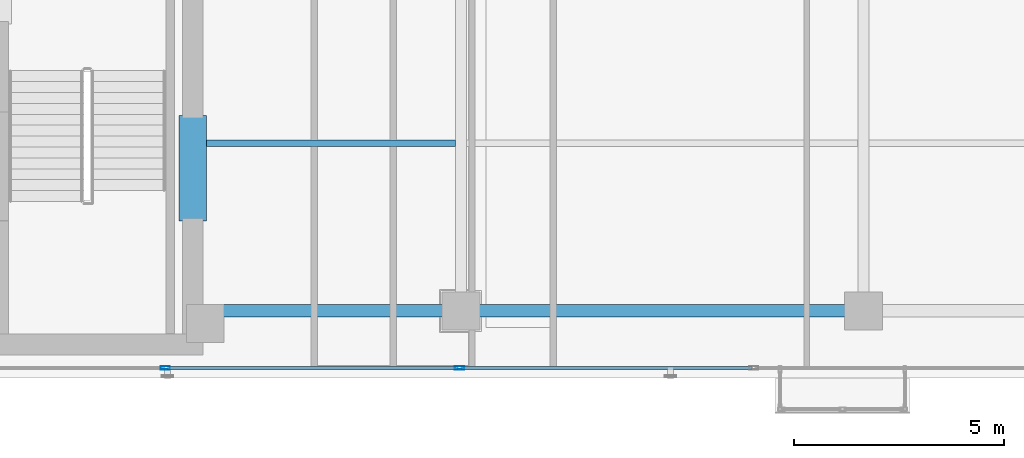
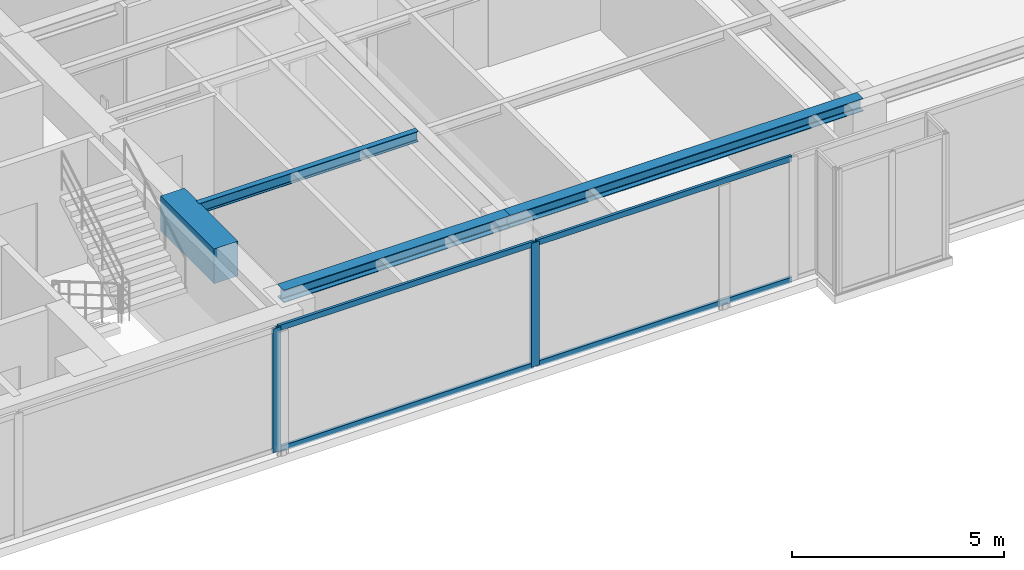
# One storey, part 4 of 23: 6 members, 4 beams, 1 element without a shape of its own.
"""IFC4 building model written with IfcOpenShell, lengths in metres."""

from ifc_helpers import new_model, si_unit, direction, frame, origin, origin_with_axes, origin_2d, place, context, subcontext, project, spatial, rectangle, hollow_rectangle, i_section, extrude, source, transform, mapped, material, layer, layer_set, material_profile, profile_set, type_object, element, aggregate, save


model = new_model("IFC4")

# Units and contexts
model_context = context("Model", 3, precision=1e-05, world=origin(), true_north=direction((0.0, 1.0)))
body_context = subcontext(model_context, "Body", "Model", "MODEL_VIEW")
ifc_project = project(units=[si_unit("LENGTHUNIT", "METRE"), si_unit("AREAUNIT", "SQUARE_METRE"), si_unit("VOLUMEUNIT", "CUBIC_METRE"), si_unit("PLANEANGLEUNIT", "RADIAN"), si_unit("MASSUNIT", "GRAM", prefix="KILO")], contexts=[model_context])

# Site, building, storey
site_placement = place(None, origin())
site = spatial("IfcSite", under=ifc_project, at=site_placement, CompositionType="ELEMENT")
building_placement = place(site_placement, origin())
building = spatial("IfcBuilding", under=site, at=building_placement, Name="Kolvaren Waterfront Exchange", CompositionType="ELEMENT")
storey_placement = place(building_placement, frame((0.0, 0.0, 270.39990234375)))
storey = spatial("IfcBuildingStorey", under=building, at=storey_placement, Name="L69", CompositionType="ELEMENT", Elevation=270.39990234375)

# Beams
ifc_material_1 = material(Name="Steel S355", Category="steel")
ifc_material_profile_1 = material_profile(ifc_material_1, i_section(OverallWidth=0.300048828125, OverallDepth=0.360107421875, WebThickness=0.012451171875, FlangeThickness=0.0224609375, FilletRadius=0.027099609375, at=origin_2d()), Name="HEB360")
ifc_profile_set_1 = profile_set([ifc_material_profile_1], Name="Steel S355")
beam_type_1 = type_object("IfcBeamType", Name="STR-BM-HEB360", PredefinedType="SPANDREL", material=ifc_profile_set_1)
beam_1_placement = place(storey_placement, frame((21.050048828125, 5.199951171875, 3.380126953125), z_axis=(1.0, 0.0, 0.0), x_axis=(0.0, 1.0, 0.0)))
element("IfcBeam", 1, at=beam_1_placement, inside=storey, type_object=beam_type_1, Name="L69 east-arm spandrel S1", PredefinedType="SPANDREL", context=body_context, shape_type="SweptSolid", body=[
    extrude(i_section(OverallWidth=0.300048828125, OverallDepth=0.360107421875, WebThickness=0.012451171875, FlangeThickness=0.0224609375, FilletRadius=0.027099609375, at=origin_2d()), origin(), (0.0, 0.0, 1.0), 6.14990234375),
])
beam_2_placement = place(storey_placement, frame((27.199951171875, 5.199951171875, 3.380126953125), z_axis=(1.0, 0.0, 0.0), x_axis=(0.0, 1.0, 0.0)))
element("IfcBeam", 2, at=beam_2_placement, inside=storey, type_object=beam_type_1, Name="L69 east-arm spandrel S2", PredefinedType="SPANDREL", context=body_context, shape_type="SweptSolid", body=[
    extrude(i_section(OverallWidth=0.300048828125, OverallDepth=0.360107421875, WebThickness=0.012451171875, FlangeThickness=0.0224609375, FilletRadius=0.027099609375, at=origin_2d()), origin(), (0.0, 0.0, 1.0), 9.60009765625),
])
ifc_material_profile_2 = material_profile(ifc_material_1, i_section(OverallWidth=0.14990234375, OverallDepth=0.300048828125, WebThickness=0.007080078125, FlangeThickness=0.0107421875, FilletRadius=0.014892578125, at=origin_2d()), Name="IPE300")
ifc_profile_set_2 = profile_set([ifc_material_profile_2], Name="Steel S355")
beam_type_2 = type_object("IfcBeamType", Name="STR-BM-IPE300", PredefinedType="JOIST", material=ifc_profile_set_2)
beam_3_placement = place(storey_placement, frame((21.10009765625, 9.199951171875, 3.41015625), z_axis=(1.0, 0.0, 0.0), x_axis=(0.0, 1.0, 0.0)))
element("IfcBeam", 3, at=beam_3_placement, inside=storey, type_object=beam_type_2, Name="L69 east-arm composite joist 1B", PredefinedType="JOIST", context=body_context, shape_type="SweptSolid", body=[
    extrude(i_section(OverallWidth=0.14990234375, OverallDepth=0.300048828125, WebThickness=0.007080078125, FlangeThickness=0.0107421875, FilletRadius=0.014892578125, at=origin_2d()), origin(), (0.0, 0.0, 1.0), 5.96435546875),
])
ifc_material_2 = material(Name="Concrete C60/75", Category="concrete")
ifc_material_profile_3 = material_profile(ifc_material_2, rectangle(XDim=0.64990234375, YDim=1.0, at=origin_2d()), Name="RC-CB-1000x650")
ifc_profile_set_3 = profile_set([ifc_material_profile_3], Name="Concrete C60/75")
beam_type_3 = type_object("IfcBeamType", Name="STR-CB-1000", PredefinedType="SPANDREL", material=ifc_profile_set_3)
beam_4_placement = place(storey_placement, frame((20.800048828125, 7.340087890625, 3.06005859375), z_axis=(0.0, 1.0, 0.0), x_axis=(-1.0, 0.0, 0.0)))
element("IfcBeam", 4, at=beam_4_placement, inside=storey, type_object=beam_type_3, Name="L69 core coupling beam 1", PredefinedType="SPANDREL", context=body_context, shape_type="SweptSolid", body=[
    extrude(rectangle(XDim=0.64990234375, YDim=1.0, at=origin_2d()), origin(), (0.0, 0.0, 1.0), 2.52001953125),
])

# Curtain wall, members
ifc_material_3 = material(Name="Anodised bronze aluminium 6063-T6", Category="aluminium")
ifc_layer = layer(ifc_material_3, 0.219970703125, Name="Anodised bronze aluminium 6063-T6")
ifc_layer_set = layer_set([ifc_layer], Name="Anodised bronze aluminium 6063-T6")
curtain_wall_type = type_object("IfcCurtainWallType", Name="ARC-CW-SYS1", PredefinedType="USERDEFINED", material=ifc_layer_set)
curtain_wall_placement = place(storey_placement, origin())
curtain_wall = element("IfcCurtainWall", 5, at=curtain_wall_placement, inside=storey, type_object=curtain_wall_type, Name="L69 stick curtain wall CW1 (CW-L69-S)", ObjectType="STICK CURTAIN WALL", PredefinedType="USERDEFINED")
ifc_material_4 = material(Name="Anodised aluminium 6063-T6", Category="aluminium")
ifc_material_profile_4 = material_profile(ifc_material_4, hollow_rectangle(XDim=0.080078125, YDim=0.219970703125, WallThickness=0.0048828125, at=origin_2d()), Name="ALU-MUL-220x80x5")
ifc_profile_set_4 = profile_set([ifc_material_profile_4], Name="Anodised aluminium 6063-T6")
member_type_1 = type_object("IfcMemberType", Name="ARC-CWM-220", PredefinedType="MULLION", material=ifc_profile_set_4)
shared_shape_1 = source(origin_with_axes(), body_context, "Body", "SweptSolid", [
    extrude(hollow_rectangle(XDim=0.080078125, YDim=0.219970703125, WallThickness=0.0048828125, at=origin_2d()), origin(), (0.0, 0.0, 1.0), 3.56005859375),
])
member_1_placement = place(storey_placement, frame((20.14208984375, 3.840087890625, 0.0), z_axis=(0.0, 0.0, 1.0), x_axis=(0.0, 1.0, 0.0)))
member_1 = element("IfcMember", 6, at=member_1_placement, type_object=member_type_1, Name="CW1 mullion 3", PredefinedType="MULLION", context=body_context, shape_type="MappedRepresentation", body=[
    mapped(shared_shape_1, transform((0.0, 0.0, 0.0), x_axis=(1.0, 0.0, 0.0), y_axis=(0.0, 1.0, 0.0), z_axis=(0.0, 0.0, 1.0), scale=1.0)),
])
member_2_placement = place(storey_placement, frame((27.1630859375, 3.840087890625, 0.0), z_axis=(0.0, 0.0, 1.0), x_axis=(0.0, 1.0, 0.0)))
member_2 = element("IfcMember", 7, at=member_2_placement, type_object=member_type_1, Name="CW1 mullion 4", PredefinedType="MULLION", context=body_context, shape_type="MappedRepresentation", body=[
    mapped(shared_shape_1, transform((0.0, 0.0, 0.0), x_axis=(1.0, 0.0, 0.0), y_axis=(0.0, 1.0, 0.0), z_axis=(0.0, 0.0, 1.0), scale=1.0)),
])
ifc_material_profile_5 = material_profile(ifc_material_4, hollow_rectangle(XDim=0.074951171875, YDim=0.159912109375, WallThickness=0.00439453125, at=origin_2d()), Name="ALU-TRN-160x75x4.5")
ifc_profile_set_5 = profile_set([ifc_material_profile_5], Name="Anodised aluminium 6063-T6")
member_type_2 = type_object("IfcMemberType", Name="ARC-CWT-160", PredefinedType="USERDEFINED", material=ifc_profile_set_5)
shared_shape_2 = source(origin_with_axes(), body_context, "Body", "SweptSolid", [
    extrude(hollow_rectangle(XDim=0.074951171875, YDim=0.159912109375, WallThickness=0.00439453125, at=origin_2d()), origin(), (0.0, 0.0, 1.0), 6.94091796875),
])
member_3_placement = place(storey_placement, frame((20.18212890625, 3.840087890625, 0.03759765625), z_axis=(1.0, 0.0, 0.0), x_axis=(0.0, 1.0, 0.0)))
member_3 = element("IfcMember", 8, at=member_3_placement, type_object=member_type_2, Name="CW1 transom 3.1", ObjectType="TRANSOM", PredefinedType="USERDEFINED", context=body_context, shape_type="MappedRepresentation", body=[
    mapped(shared_shape_2, transform((0.0, 0.0, 0.0), x_axis=(1.0, 0.0, 0.0), y_axis=(0.0, 1.0, 0.0), z_axis=(0.0, 0.0, 1.0), scale=1.0)),
])
member_4_placement = place(storey_placement, frame((20.18212890625, 3.840087890625, 3.522705078125), z_axis=(1.0, 0.0, 0.0), x_axis=(0.0, 1.0, 0.0)))
member_4 = element("IfcMember", 9, at=member_4_placement, type_object=member_type_2, Name="CW1 transom 3.2", ObjectType="TRANSOM", PredefinedType="USERDEFINED", context=body_context, shape_type="MappedRepresentation", body=[
    mapped(shared_shape_2, transform((0.0, 0.0, 0.0), x_axis=(1.0, 0.0, 0.0), y_axis=(0.0, 1.0, 0.0), z_axis=(0.0, 0.0, 1.0), scale=1.0)),
])
shared_shape_3 = source(origin_with_axes(), body_context, "Body", "SweptSolid", [
    extrude(hollow_rectangle(XDim=0.074951171875, YDim=0.159912109375, WallThickness=0.00439453125, at=origin_2d()), origin(), (0.0, 0.0, 1.0), 6.941162109375),
])
member_5_placement = place(storey_placement, frame((27.203125, 3.840087890625, 0.03759765625), z_axis=(1.0, 0.0, 0.0), x_axis=(0.0, 1.0, 0.0)))
member_5 = element("IfcMember", 10, at=member_5_placement, type_object=member_type_2, Name="CW1 transom 4.1", ObjectType="TRANSOM", PredefinedType="USERDEFINED", context=body_context, shape_type="MappedRepresentation", body=[
    mapped(shared_shape_3, transform((0.0, 0.0, 0.0), x_axis=(1.0, 0.0, 0.0), y_axis=(0.0, 1.0, 0.0), z_axis=(0.0, 0.0, 1.0), scale=1.0)),
])
member_6_placement = place(storey_placement, frame((27.203125, 3.840087890625, 3.522705078125), z_axis=(1.0, 0.0, 0.0), x_axis=(0.0, 1.0, 0.0)))
member_6 = element("IfcMember", 11, at=member_6_placement, type_object=member_type_2, Name="CW1 transom 4.2", ObjectType="TRANSOM", PredefinedType="USERDEFINED", context=body_context, shape_type="MappedRepresentation", body=[
    mapped(shared_shape_3, transform((0.0, 0.0, 0.0), x_axis=(1.0, 0.0, 0.0), y_axis=(0.0, 1.0, 0.0), z_axis=(0.0, 0.0, 1.0), scale=1.0)),
])
aggregate(curtain_wall, [member_1, member_2, member_3, member_4, member_5, member_6])

save(model, "model.ifc")
